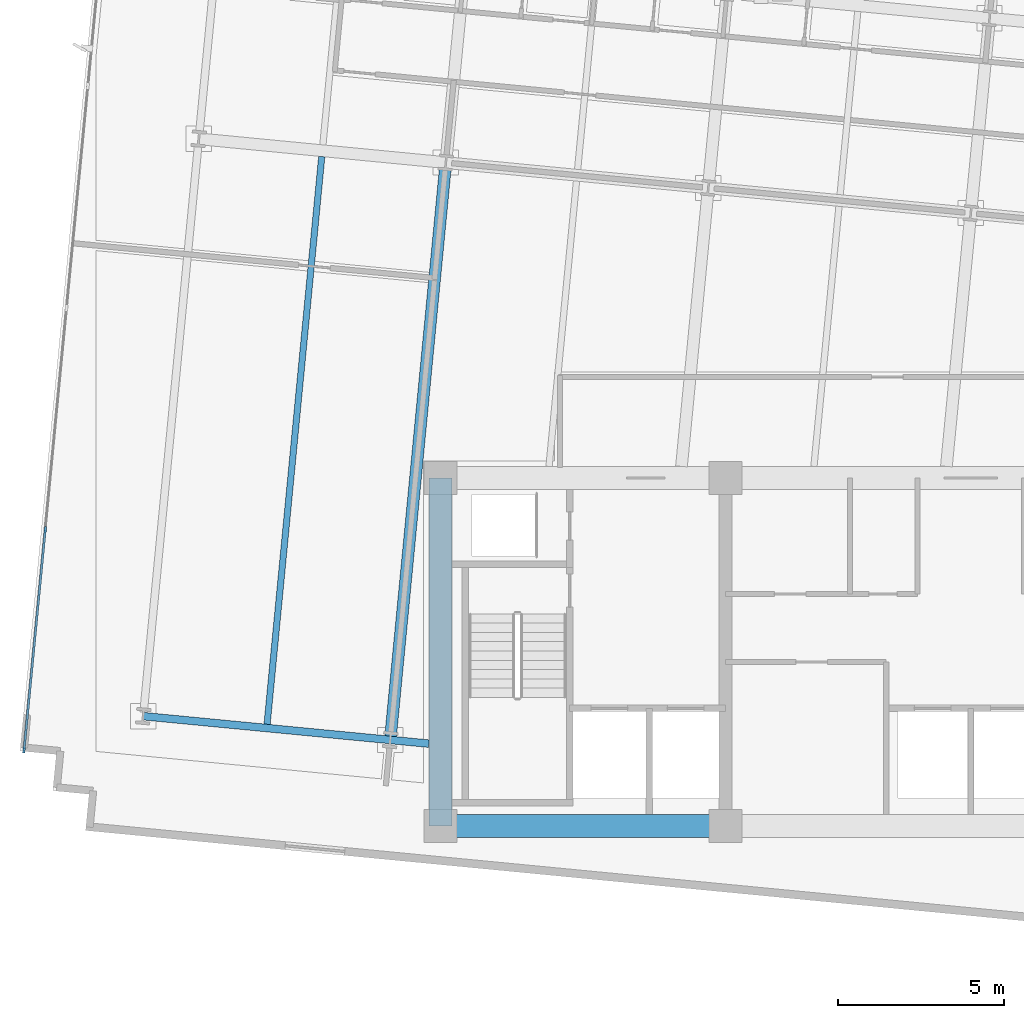
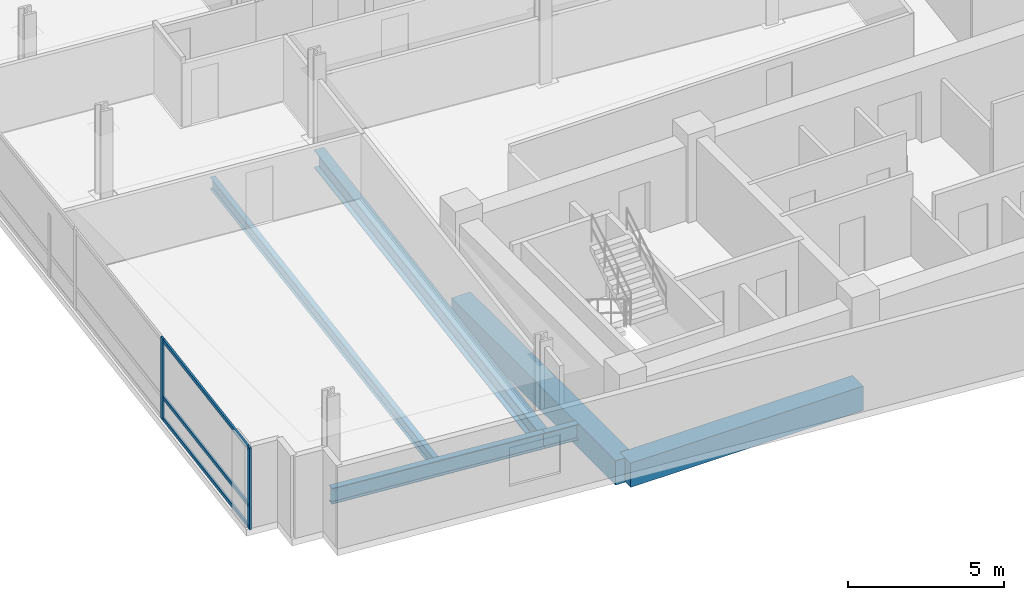
# One storey, part 2 of 17: 6 beams, 5 members, 1 element without a shape of its own.
"""IFC4 building model written with IfcOpenShell, lengths in metres."""

from ifc_helpers import new_model, si_unit, direction, frame, origin, origin_2d, place, context, subcontext, project, spatial, rectangle, i_section, extrude, material, material_profile, profile_set, type_object, element, aggregate, save


model = new_model("IFC4")

# Units and contexts
model_context = context("Model", 3, precision=1e-05, world=origin(), true_north=direction((0.0, 1.0)))
body_context = subcontext(model_context, "Body", "Model", "MODEL_VIEW")
ifc_project = project(units=[si_unit("LENGTHUNIT", "METRE"), si_unit("AREAUNIT", "SQUARE_METRE"), si_unit("VOLUMEUNIT", "CUBIC_METRE"), si_unit("PLANEANGLEUNIT", "RADIAN"), si_unit("MASSUNIT", "GRAM", prefix="KILO")], contexts=[model_context])

# Site, building, storey
site_placement = place(None, origin())
site = spatial("IfcSite", under=ifc_project, at=site_placement, CompositionType="ELEMENT")
building_placement = place(site_placement, origin())
building = spatial("IfcBuilding", under=site, at=building_placement, Name="Solmavex Isthmus Hotel", CompositionType="ELEMENT")
storey_placement = place(building_placement, frame((0.0, 0.0, 149.699951171875)))
storey = spatial("IfcBuildingStorey", under=building, at=storey_placement, Name="L40", CompositionType="ELEMENT", Elevation=149.699951171875)

# Beams
ifc_material_1 = material(Name="Steel ASTM A992 Grade 50", Category="steel")
ifc_material_profile_1 = material_profile(ifc_material_1, i_section(OverallWidth=0.354736328125, OverallDepth=0.695556640625, WebThickness=0.015380859375, FlangeThickness=0.02490234375, FilletRadius=0.017822265625, at=origin_2d()), Name="W27X146")
ifc_profile_set_1 = profile_set([ifc_material_profile_1], Name="Steel ASTM A992 Grade 50")
beam_type_1 = type_object("IfcBeamType", Name="BM-BG-W27X146", PredefinedType="BEAM", material=ifc_profile_set_1)
beam_1_placement = place(storey_placement, frame((-17.503662109375, -10.289306640625, -0.607666015625), z_axis=(0.095840821687, 0.99539667314, 0.0), x_axis=(-0.99539667314, 0.095840821687, 0.0)))
element("IfcBeam", 1, at=beam_1_placement, inside=storey, type_object=beam_type_1, Name="Floor Beam L40-VG24", PredefinedType="BEAM", context=body_context, shape_type="SweptSolid", body=[
    extrude(i_section(OverallWidth=0.354736328125, OverallDepth=0.695556640625, WebThickness=0.015380859375, FlangeThickness=0.02490234375, FilletRadius=0.017822265625, at=origin_2d()), origin(), (0.0, 0.0, 1.0), 17.207275390625),
])
ifc_material_profile_2 = material_profile(ifc_material_1, i_section(OverallWidth=0.1904296875, OverallDepth=0.456787109375, WebThickness=0.009033203125, FlangeThickness=0.014404296875, FilletRadius=0.0126953125, at=origin_2d()), Name="W18X50")
ifc_profile_set_2 = profile_set([ifc_material_profile_2], Name="Steel ASTM A992 Grade 50")
beam_type_2 = type_object("IfcBeamType", Name="BM-BJ-W18X50", PredefinedType="JOIST", material=ifc_profile_set_2)
beam_2_placement = place(storey_placement, frame((-21.23046875, -9.930419921875, -0.48828125), z_axis=(0.095840821687, 0.99539667314, 0.0), x_axis=(-0.99539667314, 0.095840821687, 0.0)))
element("IfcBeam", 2, at=beam_2_placement, inside=storey, type_object=beam_type_2, Name="Secondary Floor Joist L40-J01", PredefinedType="JOIST", context=body_context, shape_type="SweptSolid", body=[
    extrude(i_section(OverallWidth=0.1904296875, OverallDepth=0.456787109375, WebThickness=0.009033203125, FlangeThickness=0.014404296875, FilletRadius=0.0126953125, at=origin_2d()), origin(), (0.0, 0.0, 1.0), 17.207275390625),
])
ifc_material_2 = material(Name="Concrete C60/75", Category="concrete")
ifc_material_profile_3 = material_profile(ifc_material_2, rectangle(XDim=0.699951171875, YDim=0.949951171875, at=origin_2d()), Name="RC700X950")
ifc_profile_set_3 = profile_set([ifc_material_profile_3], Name="Concrete C60/75")
beam_type_3 = type_object("IfcBeamType", Name="BM-CB-700X950", PredefinedType="BEAM", material=ifc_profile_set_3)
beam_3_placement = place(storey_placement, frame((-16.0, -13.0, -0.73486328125), z_axis=(1.0, 0.0, 0.0), x_axis=(0.0, 1.0, 0.0)))
element("IfcBeam", 3, at=beam_3_placement, inside=storey, type_object=beam_type_3, Name="Core Coupling Beam L40-CB1", PredefinedType="BEAM", context=body_context, shape_type="SweptSolid", body=[
    extrude(rectangle(XDim=0.699951171875, YDim=0.949951171875, at=origin_2d()), origin(), (0.0, 0.0, 1.0), 8.60009765625),
])
beam_4_placement = place(storey_placement, frame((-16.0, -13.0, -0.73486328125), z_axis=(0.0, 1.0, 0.0), x_axis=(-1.0, 0.0, 0.0)))
element("IfcBeam", 4, at=beam_4_placement, inside=storey, type_object=beam_type_3, Name="Core Coupling Beam L40-CB7", PredefinedType="BEAM", context=body_context, shape_type="SweptSolid", body=[
    extrude(rectangle(XDim=0.699951171875, YDim=0.949951171875, at=origin_2d()), origin(), (0.0, 0.0, 1.0), 10.5),
])
ifc_material_profile_4 = material_profile(ifc_material_1, i_section(OverallWidth=0.230224609375, OverallDepth=0.617431640625, WebThickness=0.01318359375, FlangeThickness=0.022216796875, FilletRadius=0.01513671875, at=origin_2d()), Name="W24X94")
ifc_profile_set_4 = profile_set([ifc_material_profile_4], Name="Steel ASTM A992 Grade 50")
beam_type_4 = type_object("IfcBeamType", Name="BM-SP-W24X94", PredefinedType="SPANDREL", material=ifc_profile_set_4)
beam_5_placement = place(storey_placement, frame((-24.96826171875, -9.686279296875, -0.568603515625), z_axis=(0.995395279593, -0.095855293875, 0.0), x_axis=(0.095855293875, 0.995395279593, 0.0)))
element("IfcBeam", 5, at=beam_5_placement, inside=storey, type_object=beam_type_4, Name="Floor Girder L40-UG01", PredefinedType="SPANDREL", context=body_context, shape_type="SweptSolid", body=[
    extrude(i_section(OverallWidth=0.230224609375, OverallDepth=0.617431640625, WebThickness=0.01318359375, FlangeThickness=0.022216796875, FilletRadius=0.01513671875, at=origin_2d()), origin(), (0.0, 0.0, 1.0), 7.488037109375),
])
beam_6_placement = place(storey_placement, frame((-17.5146484375, -10.404052734375, -0.568603515625), z_axis=(0.995402144456, -0.095783979938, 0.0), x_axis=(0.095783979938, 0.995402144456, 0.0)))
element("IfcBeam", 6, at=beam_6_placement, inside=storey, type_object=beam_type_4, Name="Floor Girder L40-UG02", PredefinedType="SPANDREL", context=body_context, shape_type="SweptSolid", body=[
    extrude(i_section(OverallWidth=0.230224609375, OverallDepth=0.617431640625, WebThickness=0.01318359375, FlangeThickness=0.022216796875, FilletRadius=0.01513671875, at=origin_2d()), origin(), (0.0, 0.0, 1.0), 1.169921875),
])

# Curtain wall, members
ifc_material_3 = material(Name="Aluminium alloy 6063-T6", Category="aluminium")
curtain_wall_type = type_object("IfcCurtainWallType", Name="CW-SYS-03", PredefinedType="NOTDEFINED", material=ifc_material_3)
curtain_wall_placement = place(storey_placement, origin())
curtain_wall = element("IfcCurtainWall", 7, at=curtain_wall_placement, inside=storey, type_object=curtain_wall_type, Name="Stick Curtain Wall CWL-L40-W1", PredefinedType="NOTDEFINED")
ifc_material_profile_5 = material_profile(ifc_material_3, rectangle(XDim=0.070068359375, YDim=0.179931640625, at=origin_2d()), Name="CWM-70X180")
ifc_profile_set_5 = profile_set([ifc_material_profile_5], Name="Aluminium alloy 6063-T6")
member_type_1 = type_object("IfcMemberType", Name="CW-SYS-03-MUL", PredefinedType="MULLION", material=ifc_profile_set_5)
member_1_placement = place(storey_placement, frame((-28.56298828125, -10.71142578125, 0.0), z_axis=(0.0, 0.0, 1.0), x_axis=(-0.995396190038, 0.09584583902, 0.0)))
member_1 = element("IfcMember", 8, at=member_1_placement, type_object=member_type_1, Name="CW-03 mullion 1", PredefinedType="MULLION", context=body_context, shape_type="SweptSolid", body=[
    extrude(rectangle(XDim=0.070068359375, YDim=0.179931640625, at=origin_2d()), origin(), (0.0, 0.0, 1.0), 3.18994140625),
])
member_2_placement = place(storey_placement, frame((-27.92236328125, -4.057373046875, 0.0), z_axis=(0.0, 0.0, 1.0), x_axis=(-0.995396190038, 0.09584583902, 0.0)))
member_2 = element("IfcMember", 9, at=member_2_placement, type_object=member_type_1, Name="CW-03 mullion 2", PredefinedType="MULLION", context=body_context, shape_type="SweptSolid", body=[
    extrude(rectangle(XDim=0.070068359375, YDim=0.179931640625, at=origin_2d()), origin(), (0.0, 0.0, 1.0), 3.18994140625),
])
ifc_material_profile_6 = material_profile(ifc_material_3, rectangle(XDim=0.070068359375, YDim=0.139892578125, at=origin_2d()), Name="CWT-70X140")
ifc_profile_set_6 = profile_set([ifc_material_profile_6], Name="Aluminium alloy 6063-T6")
member_type_2 = type_object("IfcMemberType", Name="CW-SYS-03-TRN", PredefinedType="USERDEFINED", material=ifc_profile_set_6)
member_3_placement = place(storey_placement, frame((-28.559814453125, -10.6767578125, 0.070068359375), z_axis=(0.095845316679, 0.995396240334, 0.0), x_axis=(-0.995396240334, 0.095845316679, 0.0)))
member_3 = element("IfcMember", 10, at=member_3_placement, type_object=member_type_2, Name="CW-03 transom 1.1", ObjectType="TRANSOM", PredefinedType="USERDEFINED", context=body_context, shape_type="SweptSolid", body=[
    extrude(rectangle(XDim=0.070068359375, YDim=0.139892578125, at=origin_2d()), origin(), (0.0, 0.0, 1.0), 6.615234375),
])
member_4_placement = place(storey_placement, frame((-28.559814453125, -10.6767578125, 0.900146484375), z_axis=(0.095845316679, 0.995396240334, 0.0), x_axis=(-0.995396240334, 0.095845316679, 0.0)))
member_4 = element("IfcMember", 11, at=member_4_placement, type_object=member_type_2, Name="CW-03 transom 1.2", ObjectType="TRANSOM", PredefinedType="USERDEFINED", context=body_context, shape_type="SweptSolid", body=[
    extrude(rectangle(XDim=0.070068359375, YDim=0.139892578125, at=origin_2d()), origin(), (0.0, 0.0, 1.0), 6.615234375),
])
member_5_placement = place(storey_placement, frame((-28.559814453125, -10.6767578125, 3.1201171875), z_axis=(0.095845316679, 0.995396240334, 0.0), x_axis=(-0.995396240334, 0.095845316679, 0.0)))
member_5 = element("IfcMember", 12, at=member_5_placement, type_object=member_type_2, Name="CW-03 transom 1.3", ObjectType="TRANSOM", PredefinedType="USERDEFINED", context=body_context, shape_type="SweptSolid", body=[
    extrude(rectangle(XDim=0.070068359375, YDim=0.139892578125, at=origin_2d()), origin(), (0.0, 0.0, 1.0), 6.615234375),
])
aggregate(curtain_wall, [member_1, member_2, member_3, member_4, member_5])

save(model, "model.ifc")
